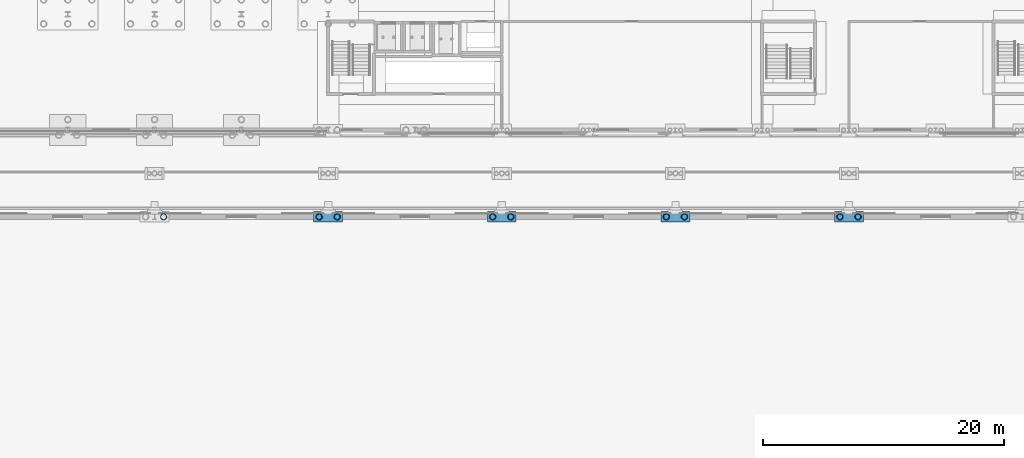
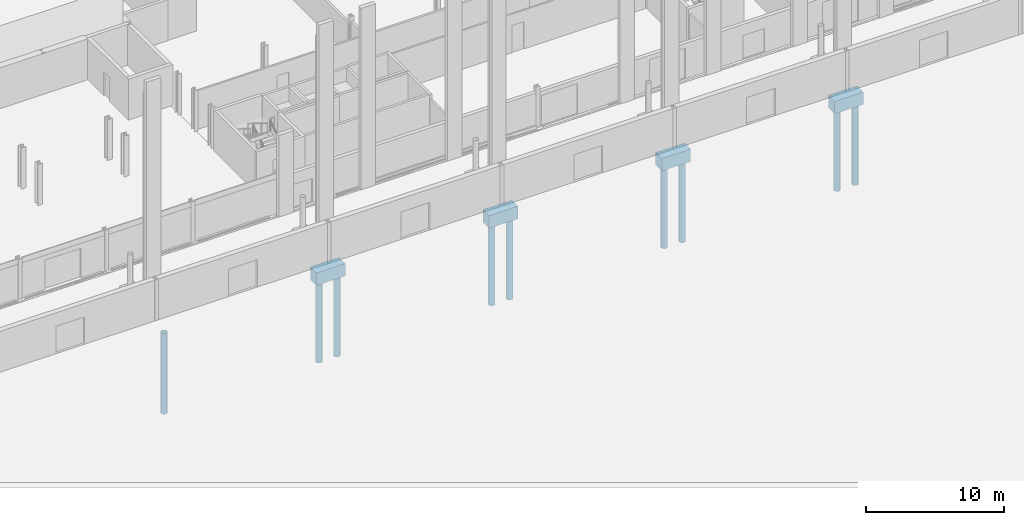
# One storey, part 18 of 148: 9 piles, 4 footings.
"""IFC4 building model written with IfcOpenShell, lengths in metres."""

from ifc_helpers import new_model, si_unit, direction, frame, origin, origin_2d, place, context, subcontext, project, spatial, rectangle, hollow_circle, extrude, material, layer, layer_set, material_profile, profile_set, type_object, element, save


model = new_model("IFC4")

# Units and contexts
model_context = context("Model", 3, precision=1e-05, world=origin(), true_north=direction((0.0, 1.0)))
body_context = subcontext(model_context, "Body", "Model", "MODEL_VIEW")
ifc_project = project(units=[si_unit("LENGTHUNIT", "METRE"), si_unit("AREAUNIT", "SQUARE_METRE"), si_unit("VOLUMEUNIT", "CUBIC_METRE"), si_unit("PLANEANGLEUNIT", "RADIAN"), si_unit("MASSUNIT", "GRAM", prefix="KILO")], contexts=[model_context])

# Site, building, storey
site_placement = place(None, origin())
site = spatial("IfcSite", under=ifc_project, at=site_placement, CompositionType="ELEMENT")
building_placement = place(site_placement, origin())
building = spatial("IfcBuilding", under=site, at=building_placement, Name="Kupolbacken Congress Centre", CompositionType="ELEMENT")
storey_placement = place(building_placement, origin())
storey = spatial("IfcBuildingStorey", under=building, at=storey_placement, Name="L00", CompositionType="ELEMENT", Elevation=0.0)

# Footings
ifc_material_1 = material(Name="Concrete C30/37", Category="concrete")
ifc_layer = layer(ifc_material_1, 1.10009765625)
ifc_layer_set = layer_set([ifc_layer], Name="Concrete C30/37")
footing_type = type_object("IfcFootingType", Name="PC2 pile cap 2.40 x 0.90 x 1.10 m", PredefinedType="PILE_CAP", material=ifc_layer_set)
for number, where, z_axis, x_axis, name in (
    (1, (136.800048828125, 115.199951171875, -1.400146484375), (0.0, 0.0, 1.0), (1.0, 0.0, 0.0), "S/fnd/C-H-T4N/cap"),
    (2, (151.199951171875, 115.199951171875, -1.400146484375), (0.0, 0.0, 1.0), (1.0, 0.0, 0.0), "S/fnd/C-H-T5N/cap"),
    (3, (165.60009765625, 115.199951171875, -1.400146484375), (0.0, 0.0, 1.0), (1.0, 0.0, 0.0), "S/fnd/C-H-T6N/cap"),
    (4, (180.0, 115.199951171875, -1.400146484375), (0.0, 0.0, 1.0), (1.0, 0.0, 0.0), "S/fnd/C-H-T7N/cap"),
):
    element("IfcFooting", number, at=place(storey_placement, frame(where, z_axis=z_axis, x_axis=x_axis)), inside=storey, type_object=footing_type, Name=name, PredefinedType="PILE_CAP", context=body_context, shape_type="SweptSolid", body=[
        extrude(rectangle(XDim=2.39990234375, YDim=0.89990234375, at=origin_2d()), origin(), (0.0, 0.0, 1.0), 1.10009765625),
    ])

# Piles
ifc_material_2 = material(Name="Steel S355", Category="steel")
ifc_material_profile = material_profile(ifc_material_2, hollow_circle(Radius=0.25390625, WallThickness=0.02001953125, at=origin_2d()), Name="CHS 508 x 20")
ifc_profile_set = profile_set([ifc_material_profile], Name="Steel S355")
pile_type = type_object("IfcPileType", Name="PL3 steel tube pile CHS 508 x 20", PredefinedType="BORED", material=ifc_profile_set)
for number, where, z_axis, x_axis, name in (
    (5, (123.14990234375, 115.199951171875, -1.39990234375), (0.0, 0.0, -1.0), (1.0, 0.0, 0.0), "S/fnd/C-H-T3N/pile2"),
    (6, (136.050048828125, 115.199951171875, -1.39990234375), (0.0, 0.0, -1.0), (1.0, 0.0, 0.0), "S/fnd/C-H-T4N/pile1"),
    (7, (137.550048828125, 115.199951171875, -1.39990234375), (0.0, 0.0, -1.0), (1.0, 0.0, 0.0), "S/fnd/C-H-T4N/pile2"),
    (8, (150.449951171875, 115.199951171875, -1.39990234375), (0.0, 0.0, -1.0), (1.0, 0.0, 0.0), "S/fnd/C-H-T5N/pile1"),
    (9, (151.949951171875, 115.199951171875, -1.39990234375), (0.0, 0.0, -1.0), (1.0, 0.0, 0.0), "S/fnd/C-H-T5N/pile2"),
    (10, (164.85009765625, 115.199951171875, -1.39990234375), (0.0, 0.0, -1.0), (1.0, 0.0, 0.0), "S/fnd/C-H-T6N/pile1"),
    (11, (166.35009765625, 115.199951171875, -1.39990234375), (0.0, 0.0, -1.0), (1.0, 0.0, 0.0), "S/fnd/C-H-T6N/pile2"),
    (12, (179.25, 115.199951171875, -1.39990234375), (0.0, 0.0, -1.0), (1.0, 0.0, 0.0), "S/fnd/C-H-T7N/pile1"),
    (13, (180.75, 115.199951171875, -1.39990234375), (0.0, 0.0, -1.0), (1.0, 0.0, 0.0), "S/fnd/C-H-T7N/pile2"),
):
    element("IfcPile", number, at=place(storey_placement, frame(where, z_axis=z_axis, x_axis=x_axis)), inside=storey, type_object=pile_type, Name=name, PredefinedType="BORED", context=body_context, shape_type="SweptSolid", body=[
        extrude(hollow_circle(Radius=0.25390625, WallThickness=0.02001953125, at=origin_2d()), origin(), (0.0, 0.0, 1.0), 7.10009765625),
    ])

save(model, "model.ifc")
